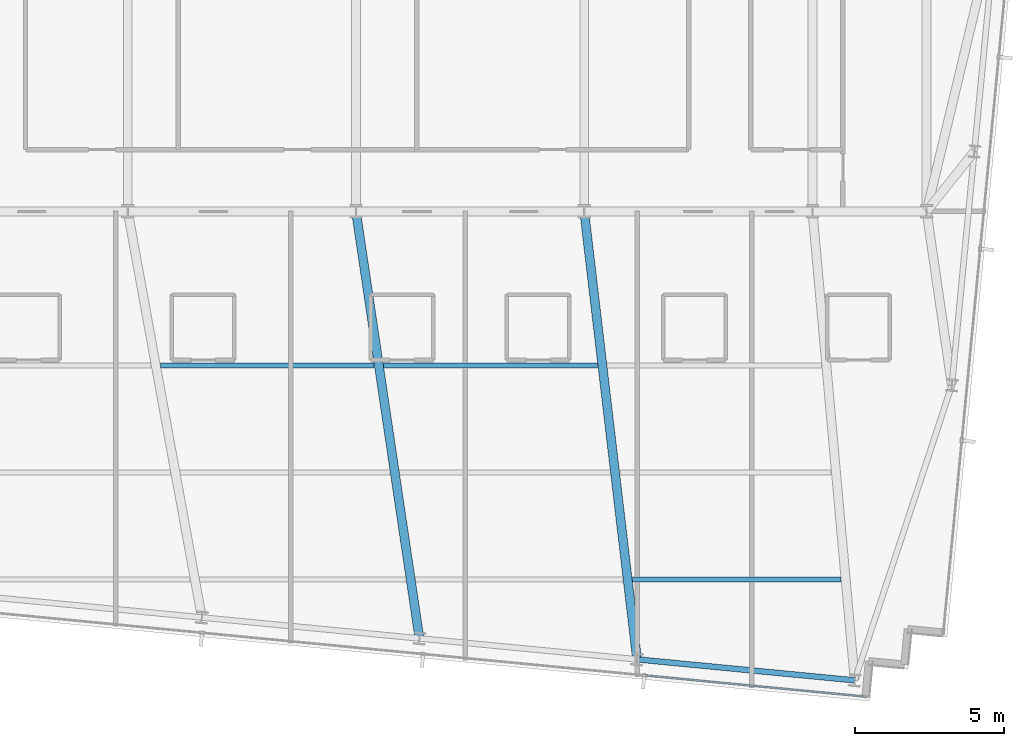
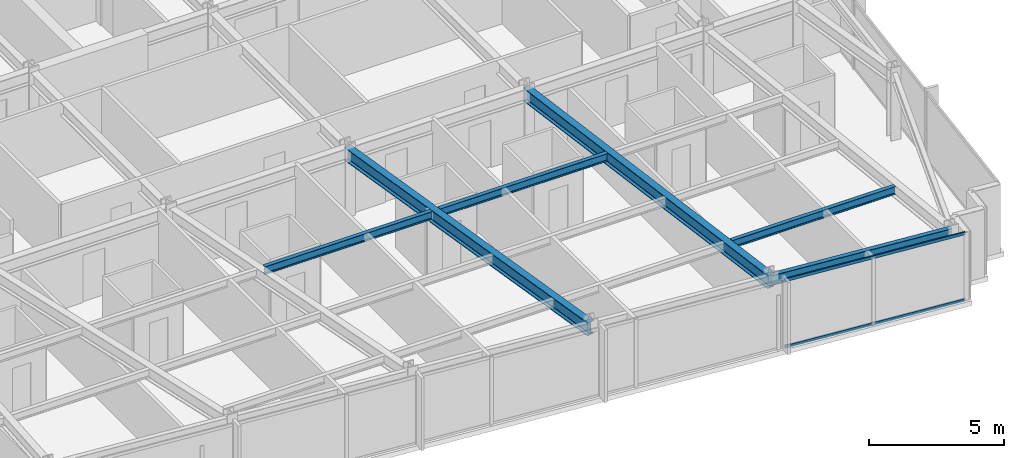
# One storey, part 13 of 37: 6 beams, 2 members, 1 element without a shape of its own.
"""IFC4 building model written with IfcOpenShell, lengths in metres."""

from ifc_helpers import new_model, si_unit, direction, frame, origin, origin_2d, place, context, subcontext, project, spatial, hollow_rectangle, i_section, extrude, material, material_profile, profile_set, type_object, element, aggregate, save


model = new_model("IFC4")

# Units and contexts
model_context = context("Model", 3, precision=1e-05, world=origin(), true_north=direction((0.0, 1.0)))
body_context = subcontext(model_context, "Body", "Model", "MODEL_VIEW")
ifc_project = project(units=[si_unit("LENGTHUNIT", "METRE"), si_unit("AREAUNIT", "SQUARE_METRE"), si_unit("VOLUMEUNIT", "CUBIC_METRE"), si_unit("PLANEANGLEUNIT", "RADIAN"), si_unit("MASSUNIT", "GRAM", prefix="KILO")], contexts=[model_context])

# Site, building, storey
site_placement = place(None, origin())
site = spatial("IfcSite", under=ifc_project, at=site_placement, CompositionType="ELEMENT")
building_placement = place(site_placement, origin())
building = spatial("IfcBuilding", under=site, at=building_placement, Name="Yelkora Congress Tower", CompositionType="ELEMENT")
storey_placement = place(building_placement, frame((0.0, 0.0, 162.199951171875)))
storey = spatial("IfcBuildingStorey", under=building, at=storey_placement, Name="L44", CompositionType="ELEMENT", Elevation=162.199951171875)

# Beams
ifc_material_1 = material(Name="Steel S355J2", Category="steel")
ifc_material_profile_1 = material_profile(ifc_material_1, i_section(OverallWidth=0.300048828125, OverallDepth=0.60009765625, WebThickness=0.015380859375, FlangeThickness=0.030029296875, FilletRadius=0.027099609375, at=origin_2d()), Name="HEB 600")
ifc_profile_set_1 = profile_set([ifc_material_profile_1], Name="Steel S355J2")
beam_type_1 = type_object("IfcBeamType", Name="BM-GIRD-HEB600", PredefinedType="BEAM", material=ifc_profile_set_1)
beam_1_placement = place(storey_placement, frame((40.53564453125, 10.83154296875, 2.780029296875), z_axis=(-0.147026183693, 0.989132600468, 0.0), x_axis=(-0.989132600468, -0.147026183693, 0.0)))
element("IfcBeam", 1, at=beam_1_placement, inside=storey, type_object=beam_type_1, Name="L44 Primary Frame Girder S06", PredefinedType="BEAM", context=body_context, shape_type="SweptSolid", body=[
    extrude(i_section(OverallWidth=0.300048828125, OverallDepth=0.60009765625, WebThickness=0.015380859375, FlangeThickness=0.030029296875, FilletRadius=0.027099609375, at=origin_2d()), origin(), (0.0, 0.0, 1.0), 14.5263671875),
])
beam_2_placement = place(storey_placement, frame((47.85888671875, 10.12646484375, 2.780029296875), z_axis=(-0.117195880411, 0.993108818617, 0.0), x_axis=(-0.993108818617, -0.117195880411, 0.0)))
element("IfcBeam", 2, at=beam_2_placement, inside=storey, type_object=beam_type_1, Name="L44 Primary Frame Girder S07", PredefinedType="BEAM", context=body_context, shape_type="SweptSolid", body=[
    extrude(i_section(OverallWidth=0.300048828125, OverallDepth=0.60009765625, WebThickness=0.015380859375, FlangeThickness=0.030029296875, FilletRadius=0.027099609375, at=origin_2d()), origin(), (0.0, 0.0, 1.0), 15.177978515625),
])
ifc_material_profile_2 = material_profile(ifc_material_1, i_section(OverallWidth=0.169921875, OverallDepth=0.360107421875, WebThickness=0.008056640625, FlangeThickness=0.0126953125, FilletRadius=0.01806640625, at=origin_2d()), Name="IPE 360")
ifc_profile_set_2 = profile_set([ifc_material_profile_2], Name="Steel S355J2")
beam_type_2 = type_object("IfcBeamType", Name="BM-JOIST-IPE360", PredefinedType="JOIST", material=ifc_profile_set_2)
beam_3_placement = place(storey_placement, frame((47.700927734375, 12.8212890625, 2.900146484375), z_axis=(1.0, 0.0, 0.0), x_axis=(0.0, 1.0, 0.0)))
element("IfcBeam", 3, at=beam_3_placement, inside=storey, type_object=beam_type_2, Name="L44 Composite Floor Joist 4", PredefinedType="JOIST", context=body_context, shape_type="SweptSolid", body=[
    extrude(i_section(OverallWidth=0.169921875, OverallDepth=0.360107421875, WebThickness=0.008056640625, FlangeThickness=0.0126953125, FilletRadius=0.01806640625, at=origin_2d()), origin(), (0.0, 0.0, 1.0), 7.014892578125),
])
beam_4_placement = place(storey_placement, frame((31.82470703125, 20.021240234375, 2.900146484375), z_axis=(1.0, 0.0, 0.0), x_axis=(0.0, 1.0, 0.0)))
element("IfcBeam", 4, at=beam_4_placement, inside=storey, type_object=beam_type_2, Name="L44 Composite Floor Joist 16", PredefinedType="JOIST", context=body_context, shape_type="SweptSolid", body=[
    extrude(i_section(OverallWidth=0.169921875, OverallDepth=0.360107421875, WebThickness=0.008056640625, FlangeThickness=0.0126953125, FilletRadius=0.01806640625, at=origin_2d()), origin(), (0.0, 0.0, 1.0), 7.18505859375),
])
beam_5_placement = place(storey_placement, frame((39.32958984375, 20.021240234375, 2.900146484375), z_axis=(1.0, 0.0, 0.0), x_axis=(0.0, 1.0, 0.0)))
element("IfcBeam", 5, at=beam_5_placement, inside=storey, type_object=beam_type_2, Name="L44 Composite Floor Joist 17", PredefinedType="JOIST", context=body_context, shape_type="SweptSolid", body=[
    extrude(i_section(OverallWidth=0.169921875, OverallDepth=0.360107421875, WebThickness=0.008056640625, FlangeThickness=0.0126953125, FilletRadius=0.01806640625, at=origin_2d()), origin(), (0.0, 0.0, 1.0), 7.20166015625),
])
ifc_material_profile_3 = material_profile(ifc_material_1, i_section(OverallWidth=0.18994140625, OverallDepth=0.449951171875, WebThickness=0.009521484375, FlangeThickness=0.0146484375, FilletRadius=0.02099609375, at=origin_2d()), Name="IPE 450")
ifc_profile_set_3 = profile_set([ifc_material_profile_3], Name="Steel S355J2")
beam_type_3 = type_object("IfcBeamType", Name="BM-SPAN-IPE450", PredefinedType="SPANDREL", material=ifc_profile_set_3)
beam_6_placement = place(storey_placement, frame((47.85888671875, 10.12646484375, 2.85498046875), z_axis=(0.995393938538, -0.095869218844, 0.0), x_axis=(0.095869218844, 0.995393938538, 0.0)))
element("IfcBeam", 6, at=beam_6_placement, inside=storey, type_object=beam_type_3, Name="L44 Perimeter Beam 8", PredefinedType="SPANDREL", context=body_context, shape_type="SweptSolid", body=[
    extrude(i_section(OverallWidth=0.18994140625, OverallDepth=0.449951171875, WebThickness=0.009521484375, FlangeThickness=0.0146484375, FilletRadius=0.02099609375, at=origin_2d()), origin(), (0.0, 0.0, 1.0), 7.357177734375),
])

# Curtain wall, members
ifc_material_2 = material(Name="Anodised aluminium and insulated glass", Category="aluminium")
curtain_wall_type = type_object("IfcCurtainWallType", Name="CW-SYS-B3", PredefinedType="NOTDEFINED", material=ifc_material_2)
curtain_wall_placement = place(storey_placement, origin())
curtain_wall = element("IfcCurtainWall", 7, at=curtain_wall_placement, inside=storey, type_object=curtain_wall_type, Name="L44 Unitised Curtain Wall 20", PredefinedType="NOTDEFINED")
ifc_material_3 = material(Name="Anodised aluminium 6063-T6", Category="aluminium")
ifc_material_profile_4 = material_profile(ifc_material_3, hollow_rectangle(XDim=0.06005859375, YDim=0.1298828125, WallThickness=0.00390625, at=origin_2d()), Name="ALU 60x130x4")
ifc_profile_set_4 = profile_set([ifc_material_profile_4], Name="Anodised aluminium 6063-T6")
member_type = type_object("IfcMemberType", Name="MEM-TR-B3", PredefinedType="USERDEFINED", material=ifc_profile_set_4)
member_1_placement = place(storey_placement, frame((55.4716796875, 8.881103515625, 0.030029296875), z_axis=(-0.995396212442, 0.095845606344, 0.0), x_axis=(-0.095845606344, -0.995396212442, 0.0)))
member_1 = element("IfcMember", 8, at=member_1_placement, type_object=member_type, Name="CW-B3 transom 1.1", ObjectType="TRANSOM", PredefinedType="USERDEFINED", context=body_context, shape_type="SweptSolid", body=[
    extrude(hollow_rectangle(XDim=0.06005859375, YDim=0.1298828125, WallThickness=0.00390625, at=origin_2d()), origin(), (0.0, 0.0, 1.0), 7.369140625),
])
member_2_placement = place(storey_placement, frame((55.4716796875, 8.881103515625, 3.050048828125), z_axis=(-0.995396212442, 0.095845606344, 0.0), x_axis=(-0.095845606344, -0.995396212442, 0.0)))
member_2 = element("IfcMember", 9, at=member_2_placement, type_object=member_type, Name="CW-B3 transom 1.2", ObjectType="TRANSOM", PredefinedType="USERDEFINED", context=body_context, shape_type="SweptSolid", body=[
    extrude(hollow_rectangle(XDim=0.06005859375, YDim=0.1298828125, WallThickness=0.00390625, at=origin_2d()), origin(), (0.0, 0.0, 1.0), 7.369140625),
])
aggregate(curtain_wall, [member_1, member_2])

save(model, "model.ifc")
